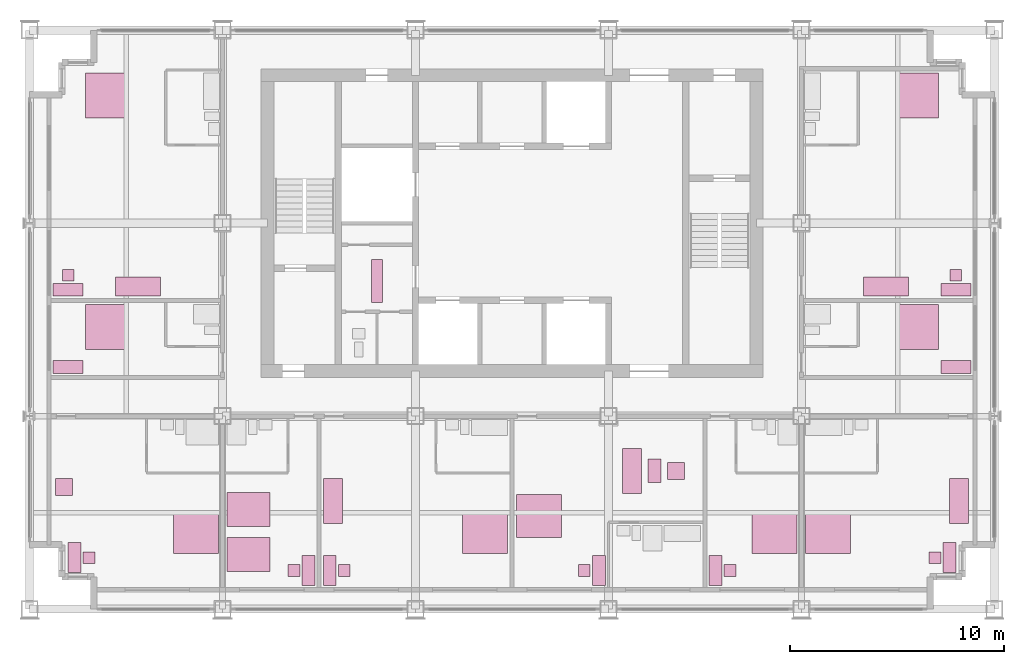
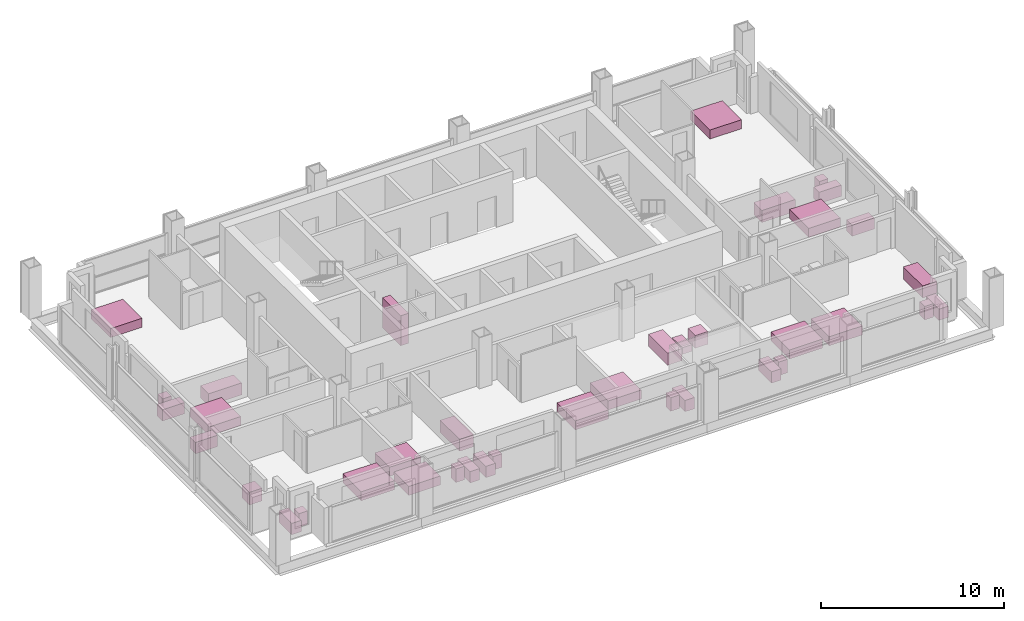
# One storey, part 13 of 13: 38 furniture elements.
"""IFC4 building model written with IfcOpenShell, lengths in metres."""

from ifc_helpers import new_model, si_unit, direction, frame, origin, origin_2d, place, context, subcontext, project, spatial, rectangle, extrude, element, save


model = new_model("IFC4")

# Units and contexts
model_context = context("Model", 3, precision=1e-05, world=origin(), true_north=direction((0.0, 1.0)))
body_context = subcontext(model_context, "Body", "Model", "MODEL_VIEW")
ifc_project = project(units=[si_unit("LENGTHUNIT", "METRE"), si_unit("AREAUNIT", "SQUARE_METRE"), si_unit("VOLUMEUNIT", "CUBIC_METRE"), si_unit("PLANEANGLEUNIT", "RADIAN"), si_unit("MASSUNIT", "GRAM", prefix="KILO")], contexts=[model_context])

# Site, building, storey
site_placement = place(None, origin())
site = spatial("IfcSite", under=ifc_project, at=site_placement, CompositionType="ELEMENT")
building_placement = place(site_placement, origin())
building = spatial("IfcBuilding", under=site, at=building_placement, Name="Loomwork Tower", CompositionType="ELEMENT")
storey_placement = place(building_placement, frame((0.0, 0.0, 208.0)))
storey = spatial("IfcBuildingStorey", under=building, at=storey_placement, Name="L57", CompositionType="ELEMENT", Elevation=208.0)

# Furniture
furniture_1_placement = place(storey_placement, frame((7.75, 3.60009765625, 0.0), z_axis=(0.0, 0.0, 1.0), x_axis=(1.0, 0.0, 0.0)))
element("IfcFurniture", 1, at=furniture_1_placement, inside=storey, Name="King bed L57", PredefinedType="BED", context=body_context, shape_type="SweptSolid", body=[
    extrude(rectangle(XDim=2.10009765625, YDim=2.0, at=origin_2d()), origin(), (0.0, 0.0, 1.0), 0.60009765625),
])
furniture_2_placement = place(storey_placement, frame((2.10009765625, 2.39990234375, 0.0), z_axis=(0.0, 0.0, 1.0), x_axis=(1.0, 0.0, 0.0)))
element("IfcFurniture", 2, at=furniture_2_placement, inside=storey, Name="Writing desk L57", PredefinedType="DESK", context=body_context, shape_type="SweptSolid", body=[
    extrude(rectangle(XDim=0.60009765625, YDim=1.39990234375, at=origin_2d()), origin(), (0.0, 0.0, 1.0), 0.75),
])
furniture_3_placement = place(storey_placement, frame((2.77490234375, 2.39990234375, 0.0), z_axis=(0.0, 0.0, 1.0), x_axis=(1.0, 0.0, 0.0)))
element("IfcFurniture", 3, at=furniture_3_placement, inside=storey, Name="Desk chair L57", PredefinedType="CHAIR", context=body_context, shape_type="SweptSolid", body=[
    extrude(rectangle(XDim=0.550048828125, YDim=0.550048828125, at=origin_2d()), origin(), (0.0, 0.0, 1.0), 0.89990234375),
])
furniture_4_placement = place(storey_placement, frame((1.60009765625, 5.699951171875, 0.0), z_axis=(0.0, 0.0, 1.0), x_axis=(1.0, 0.0, 0.0)))
element("IfcFurniture", 4, at=furniture_4_placement, inside=storey, Name="Lounge armchair L57", PredefinedType="CHAIR", context=body_context, shape_type="SweptSolid", body=[
    extrude(rectangle(XDim=0.800048828125, YDim=0.800048828125, at=origin_2d()), origin(), (0.0, 0.0, 1.0), 0.85009765625),
])
for number, where, z_axis, x_axis, name in (
    (5, (10.199951171875, 4.64990234375, 0.0), (0.0, 0.0, 1.0), (1.0, 0.0, 0.0), "Queen bed L57"),
    (6, (10.199951171875, 2.550048828125, 0.0), (0.0, 0.0, 1.0), (1.0, 0.0, 0.0), "Queen bed L57"),
):
    element("IfcFurniture", number, at=place(storey_placement, frame(where, z_axis=z_axis, x_axis=x_axis)), inside=storey, Name=name, PredefinedType="BED", context=body_context, shape_type="SweptSolid", body=[
        extrude(rectangle(XDim=2.0, YDim=1.60009765625, at=origin_2d()), origin(), (0.0, 0.0, 1.0), 0.60009765625),
    ])
furniture_5_placement = place(storey_placement, frame((13.0, 1.800048828125, 0.0), z_axis=(0.0, 0.0, 1.0), x_axis=(1.0, 0.0, 0.0)))
element("IfcFurniture", 7, at=furniture_5_placement, inside=storey, Name="Writing desk L57", PredefinedType="DESK", context=body_context, shape_type="SweptSolid", body=[
    extrude(rectangle(XDim=0.60009765625, YDim=1.39990234375, at=origin_2d()), origin(), (0.0, 0.0, 1.0), 0.75),
])
furniture_6_placement = place(storey_placement, frame((12.324951171875, 1.800048828125, 0.0), z_axis=(0.0, 0.0, 1.0), x_axis=(1.0, 0.0, 0.0)))
element("IfcFurniture", 8, at=furniture_6_placement, inside=storey, Name="Desk chair L57", PredefinedType="CHAIR", context=body_context, shape_type="SweptSolid", body=[
    extrude(rectangle(XDim=0.550048828125, YDim=0.550048828125, at=origin_2d()), origin(), (0.0, 0.0, 1.0), 0.89990234375),
])
furniture_7_placement = place(storey_placement, frame((21.25, 3.60009765625, 0.0), z_axis=(0.0, 0.0, 1.0), x_axis=(1.0, 0.0, 0.0)))
element("IfcFurniture", 9, at=furniture_7_placement, inside=storey, Name="King bed L57", PredefinedType="BED", context=body_context, shape_type="SweptSolid", body=[
    extrude(rectangle(XDim=2.10009765625, YDim=2.0, at=origin_2d()), origin(), (0.0, 0.0, 1.0), 0.60009765625),
])
furniture_8_placement = place(storey_placement, frame((14.0, 1.800048828125, 0.0), z_axis=(0.0, 0.0, 1.0), x_axis=(1.0, 0.0, 0.0)))
element("IfcFurniture", 10, at=furniture_8_placement, inside=storey, Name="Writing desk L57", PredefinedType="DESK", context=body_context, shape_type="SweptSolid", body=[
    extrude(rectangle(XDim=0.60009765625, YDim=1.39990234375, at=origin_2d()), origin(), (0.0, 0.0, 1.0), 0.75),
])
furniture_9_placement = place(storey_placement, frame((14.675048828125, 1.800048828125, 0.0), z_axis=(0.0, 0.0, 1.0), x_axis=(1.0, 0.0, 0.0)))
element("IfcFurniture", 11, at=furniture_9_placement, inside=storey, Name="Desk chair L57", PredefinedType="CHAIR", context=body_context, shape_type="SweptSolid", body=[
    extrude(rectangle(XDim=0.550048828125, YDim=0.550048828125, at=origin_2d()), origin(), (0.0, 0.0, 1.0), 0.89990234375),
])
furniture_10_placement = place(storey_placement, frame((14.14990234375, 5.050048828125, 0.0), z_axis=(0.0, 0.0, 1.0), x_axis=(1.0, 0.0, 0.0)))
element("IfcFurniture", 12, at=furniture_10_placement, inside=storey, Name="Sofa L57", PredefinedType="SOFA", context=body_context, shape_type="SweptSolid", body=[
    extrude(rectangle(XDim=0.89990234375, YDim=2.10009765625, at=origin_2d()), origin(), (0.0, 0.0, 1.0), 0.800048828125),
])
furniture_11_placement = place(storey_placement, frame((23.75, 4.35009765625, 0.0), z_axis=(0.0, 0.0, 1.0), x_axis=(1.0, 0.0, 0.0)))
element("IfcFurniture", 13, at=furniture_11_placement, inside=storey, Name="King bed L57", PredefinedType="BED", context=body_context, shape_type="SweptSolid", body=[
    extrude(rectangle(XDim=2.10009765625, YDim=2.0, at=origin_2d()), origin(), (0.0, 0.0, 1.0), 0.60009765625),
])
furniture_12_placement = place(storey_placement, frame((26.550048828125, 1.800048828125, 0.0), z_axis=(0.0, 0.0, 1.0), x_axis=(1.0, 0.0, 0.0)))
element("IfcFurniture", 14, at=furniture_12_placement, inside=storey, Name="Writing desk L57", PredefinedType="DESK", context=body_context, shape_type="SweptSolid", body=[
    extrude(rectangle(XDim=0.60009765625, YDim=1.39990234375, at=origin_2d()), origin(), (0.0, 0.0, 1.0), 0.75),
])
furniture_13_placement = place(storey_placement, frame((25.875, 1.800048828125, 0.0), z_axis=(0.0, 0.0, 1.0), x_axis=(1.0, 0.0, 0.0)))
element("IfcFurniture", 15, at=furniture_13_placement, inside=storey, Name="Desk chair L57", PredefinedType="CHAIR", context=body_context, shape_type="SweptSolid", body=[
    extrude(rectangle(XDim=0.550048828125, YDim=0.550048828125, at=origin_2d()), origin(), (0.0, 0.0, 1.0), 0.89990234375),
])
furniture_14_placement = place(storey_placement, frame((28.10009765625, 6.449951171875, 0.0), z_axis=(0.0, 0.0, 1.0), x_axis=(1.0, 0.0, 0.0)))
element("IfcFurniture", 16, at=furniture_14_placement, inside=storey, Name="Sofa L57", PredefinedType="SOFA", context=body_context, shape_type="SweptSolid", body=[
    extrude(rectangle(XDim=0.89990234375, YDim=2.10009765625, at=origin_2d()), origin(), (0.0, 0.0, 1.0), 0.800048828125),
])
furniture_15_placement = place(storey_placement, frame((29.14990234375, 6.449951171875, 0.0), z_axis=(0.0, 0.0, 1.0), x_axis=(1.0, 0.0, 0.0)))
element("IfcFurniture", 17, at=furniture_15_placement, inside=storey, Name="Coffee table L57", PredefinedType="TABLE", context=body_context, shape_type="SweptSolid", body=[
    extrude(rectangle(XDim=0.60009765625, YDim=1.10009765625, at=origin_2d()), origin(), (0.0, 0.0, 1.0), 0.449951171875),
])
furniture_16_placement = place(storey_placement, frame((30.14990234375, 6.449951171875, 0.0), z_axis=(0.0, 0.0, 1.0), x_axis=(1.0, 0.0, 0.0)))
element("IfcFurniture", 18, at=furniture_16_placement, inside=storey, Name="Lounge armchair L57", PredefinedType="CHAIR", context=body_context, shape_type="SweptSolid", body=[
    extrude(rectangle(XDim=0.800048828125, YDim=0.800048828125, at=origin_2d()), origin(), (0.0, 0.0, 1.0), 0.85009765625),
])
furniture_17_placement = place(storey_placement, frame((34.75, 3.60009765625, 0.0), z_axis=(0.0, 0.0, 1.0), x_axis=(1.0, 0.0, 0.0)))
element("IfcFurniture", 19, at=furniture_17_placement, inside=storey, Name="King bed L57", PredefinedType="BED", context=body_context, shape_type="SweptSolid", body=[
    extrude(rectangle(XDim=2.10009765625, YDim=2.0, at=origin_2d()), origin(), (0.0, 0.0, 1.0), 0.60009765625),
])
furniture_18_placement = place(storey_placement, frame((32.0, 1.800048828125, 0.0), z_axis=(0.0, 0.0, 1.0), x_axis=(1.0, 0.0, 0.0)))
element("IfcFurniture", 20, at=furniture_18_placement, inside=storey, Name="Writing desk L57", PredefinedType="DESK", context=body_context, shape_type="SweptSolid", body=[
    extrude(rectangle(XDim=0.60009765625, YDim=1.39990234375, at=origin_2d()), origin(), (0.0, 0.0, 1.0), 0.75),
])
furniture_19_placement = place(storey_placement, frame((32.675048828125, 1.800048828125, 0.0), z_axis=(0.0, 0.0, 1.0), x_axis=(1.0, 0.0, 0.0)))
element("IfcFurniture", 21, at=furniture_19_placement, inside=storey, Name="Desk chair L57", PredefinedType="CHAIR", context=body_context, shape_type="SweptSolid", body=[
    extrude(rectangle(XDim=0.550048828125, YDim=0.550048828125, at=origin_2d()), origin(), (0.0, 0.0, 1.0), 0.89990234375),
])
furniture_20_placement = place(storey_placement, frame((37.25, 3.60009765625, 0.0), z_axis=(0.0, 0.0, 1.0), x_axis=(1.0, 0.0, 0.0)))
element("IfcFurniture", 22, at=furniture_20_placement, inside=storey, Name="King bed L57", PredefinedType="BED", context=body_context, shape_type="SweptSolid", body=[
    extrude(rectangle(XDim=2.10009765625, YDim=2.0, at=origin_2d()), origin(), (0.0, 0.0, 1.0), 0.60009765625),
])
furniture_21_placement = place(storey_placement, frame((42.89990234375, 2.39990234375, 0.0), z_axis=(0.0, 0.0, 1.0), x_axis=(1.0, 0.0, 0.0)))
element("IfcFurniture", 23, at=furniture_21_placement, inside=storey, Name="Writing desk L57", PredefinedType="DESK", context=body_context, shape_type="SweptSolid", body=[
    extrude(rectangle(XDim=0.60009765625, YDim=1.39990234375, at=origin_2d()), origin(), (0.0, 0.0, 1.0), 0.75),
])
furniture_22_placement = place(storey_placement, frame((42.22509765625, 2.39990234375, 0.0), z_axis=(0.0, 0.0, 1.0), x_axis=(1.0, 0.0, 0.0)))
element("IfcFurniture", 24, at=furniture_22_placement, inside=storey, Name="Desk chair L57", PredefinedType="CHAIR", context=body_context, shape_type="SweptSolid", body=[
    extrude(rectangle(XDim=0.550048828125, YDim=0.550048828125, at=origin_2d()), origin(), (0.0, 0.0, 1.0), 0.89990234375),
])
furniture_23_placement = place(storey_placement, frame((43.35009765625, 5.050048828125, 0.0), z_axis=(0.0, 0.0, 1.0), x_axis=(1.0, 0.0, 0.0)))
element("IfcFurniture", 25, at=furniture_23_placement, inside=storey, Name="Sofa L57", PredefinedType="SOFA", context=body_context, shape_type="SweptSolid", body=[
    extrude(rectangle(XDim=0.89990234375, YDim=2.10009765625, at=origin_2d()), origin(), (0.0, 0.0, 1.0), 0.800048828125),
])
furniture_24_placement = place(storey_placement, frame((3.60009765625, 13.14990234375, 0.0), z_axis=(0.0, 0.0, 1.0), x_axis=(1.0, 0.0, 0.0)))
element("IfcFurniture", 26, at=furniture_24_placement, inside=storey, Name="King bed L57", PredefinedType="BED", context=body_context, shape_type="SweptSolid", body=[
    extrude(rectangle(XDim=2.0, YDim=2.10009765625, at=origin_2d()), origin(), (0.0, 0.0, 1.0), 0.60009765625),
])
furniture_25_placement = place(storey_placement, frame((1.800048828125, 11.300048828125, 0.0), z_axis=(0.0, 0.0, 1.0), x_axis=(1.0, 0.0, 0.0)))
element("IfcFurniture", 27, at=furniture_25_placement, inside=storey, Name="Writing desk L57", PredefinedType="DESK", context=body_context, shape_type="SweptSolid", body=[
    extrude(rectangle(XDim=1.39990234375, YDim=0.60009765625, at=origin_2d()), origin(), (0.0, 0.0, 1.0), 0.75),
])
furniture_26_placement = place(storey_placement, frame((3.60009765625, 23.949951171875, 0.0), z_axis=(0.0, 0.0, 1.0), x_axis=(1.0, 0.0, 0.0)))
element("IfcFurniture", 28, at=furniture_26_placement, inside=storey, Name="King bed L57", PredefinedType="BED", context=body_context, shape_type="SweptSolid", body=[
    extrude(rectangle(XDim=2.0, YDim=2.10009765625, at=origin_2d()), origin(), (0.0, 0.0, 1.0), 0.60009765625),
])
furniture_27_placement = place(storey_placement, frame((1.800048828125, 14.89990234375, 0.0), z_axis=(0.0, 0.0, 1.0), x_axis=(1.0, 0.0, 0.0)))
element("IfcFurniture", 29, at=furniture_27_placement, inside=storey, Name="Writing desk L57", PredefinedType="DESK", context=body_context, shape_type="SweptSolid", body=[
    extrude(rectangle(XDim=1.39990234375, YDim=0.60009765625, at=origin_2d()), origin(), (0.0, 0.0, 1.0), 0.75),
])
furniture_28_placement = place(storey_placement, frame((1.800048828125, 15.574951171875, 0.0), z_axis=(0.0, 0.0, 1.0), x_axis=(1.0, 0.0, 0.0)))
element("IfcFurniture", 30, at=furniture_28_placement, inside=storey, Name="Desk chair L57", PredefinedType="CHAIR", context=body_context, shape_type="SweptSolid", body=[
    extrude(rectangle(XDim=0.550048828125, YDim=0.550048828125, at=origin_2d()), origin(), (0.0, 0.0, 1.0), 0.89990234375),
])
furniture_29_placement = place(storey_placement, frame((5.050048828125, 15.050048828125, 0.0), z_axis=(0.0, 0.0, 1.0), x_axis=(1.0, 0.0, 0.0)))
element("IfcFurniture", 31, at=furniture_29_placement, inside=storey, Name="Sofa L57", PredefinedType="SOFA", context=body_context, shape_type="SweptSolid", body=[
    extrude(rectangle(XDim=2.10009765625, YDim=0.89990234375, at=origin_2d()), origin(), (0.0, 0.0, 1.0), 0.800048828125),
])
furniture_30_placement = place(storey_placement, frame((41.39990234375, 13.14990234375, 0.0), z_axis=(0.0, 0.0, 1.0), x_axis=(1.0, 0.0, 0.0)))
element("IfcFurniture", 32, at=furniture_30_placement, inside=storey, Name="King bed L57", PredefinedType="BED", context=body_context, shape_type="SweptSolid", body=[
    extrude(rectangle(XDim=2.0, YDim=2.10009765625, at=origin_2d()), origin(), (0.0, 0.0, 1.0), 0.60009765625),
])
furniture_31_placement = place(storey_placement, frame((43.199951171875, 11.300048828125, 0.0), z_axis=(0.0, 0.0, 1.0), x_axis=(1.0, 0.0, 0.0)))
element("IfcFurniture", 33, at=furniture_31_placement, inside=storey, Name="Writing desk L57", PredefinedType="DESK", context=body_context, shape_type="SweptSolid", body=[
    extrude(rectangle(XDim=1.39990234375, YDim=0.60009765625, at=origin_2d()), origin(), (0.0, 0.0, 1.0), 0.75),
])
furniture_32_placement = place(storey_placement, frame((41.39990234375, 23.949951171875, 0.0), z_axis=(0.0, 0.0, 1.0), x_axis=(1.0, 0.0, 0.0)))
element("IfcFurniture", 34, at=furniture_32_placement, inside=storey, Name="King bed L57", PredefinedType="BED", context=body_context, shape_type="SweptSolid", body=[
    extrude(rectangle(XDim=2.0, YDim=2.10009765625, at=origin_2d()), origin(), (0.0, 0.0, 1.0), 0.60009765625),
])
furniture_33_placement = place(storey_placement, frame((43.199951171875, 14.89990234375, 0.0), z_axis=(0.0, 0.0, 1.0), x_axis=(1.0, 0.0, 0.0)))
element("IfcFurniture", 35, at=furniture_33_placement, inside=storey, Name="Writing desk L57", PredefinedType="DESK", context=body_context, shape_type="SweptSolid", body=[
    extrude(rectangle(XDim=1.39990234375, YDim=0.60009765625, at=origin_2d()), origin(), (0.0, 0.0, 1.0), 0.75),
])
furniture_34_placement = place(storey_placement, frame((43.199951171875, 15.574951171875, 0.0), z_axis=(0.0, 0.0, 1.0), x_axis=(1.0, 0.0, 0.0)))
element("IfcFurniture", 36, at=furniture_34_placement, inside=storey, Name="Desk chair L57", PredefinedType="CHAIR", context=body_context, shape_type="SweptSolid", body=[
    extrude(rectangle(XDim=0.550048828125, YDim=0.550048828125, at=origin_2d()), origin(), (0.0, 0.0, 1.0), 0.89990234375),
])
furniture_35_placement = place(storey_placement, frame((39.949951171875, 15.050048828125, 0.0), z_axis=(0.0, 0.0, 1.0), x_axis=(1.0, 0.0, 0.0)))
element("IfcFurniture", 37, at=furniture_35_placement, inside=storey, Name="Sofa L57", PredefinedType="SOFA", context=body_context, shape_type="SweptSolid", body=[
    extrude(rectangle(XDim=2.10009765625, YDim=0.89990234375, at=origin_2d()), origin(), (0.0, 0.0, 1.0), 0.800048828125),
])
furniture_36_placement = place(storey_placement, frame((16.199951171875, 15.300048828125, 0.0), z_axis=(0.0, 0.0, 1.0), x_axis=(1.0, 0.0, 0.0)))
element("IfcFurniture", 38, at=furniture_36_placement, inside=storey, Name="Linen shelving L57", PredefinedType="SHELF", context=body_context, shape_type="SweptSolid", body=[
    extrude(rectangle(XDim=0.5, YDim=2.0, at=origin_2d()), origin(), (0.0, 0.0, 1.0), 2.0),
])

save(model, "model.ifc")
